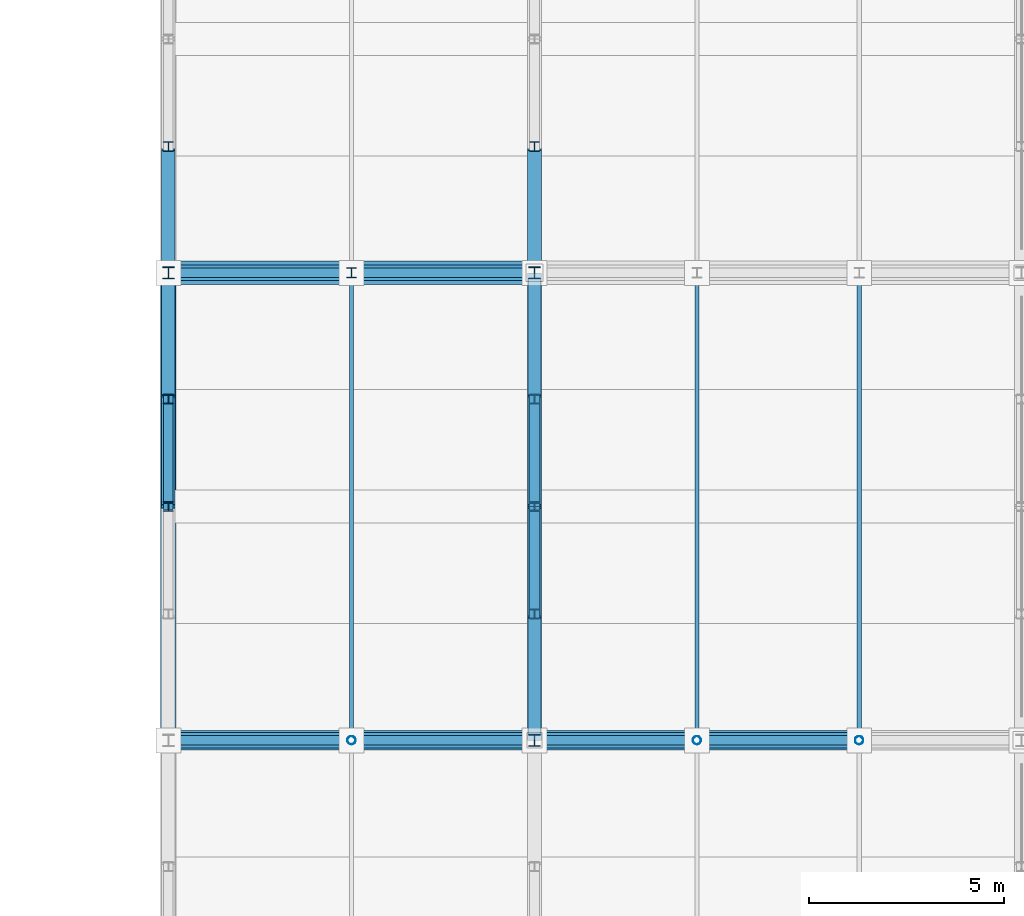
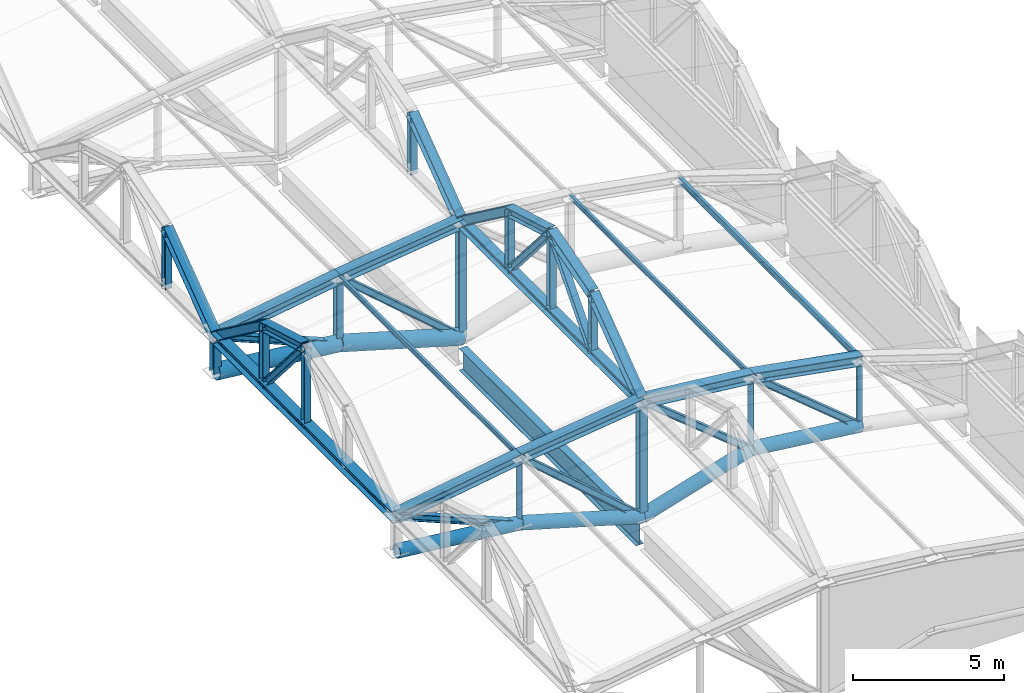
# One storey, part 61 of 117: 48 members, 1 beam.
"""IFC4 building model written with IfcOpenShell, lengths in metres."""

from ifc_helpers import new_model, si_unit, direction, frame, origin, origin_2d, place, context, subcontext, project, spatial, hollow_circle, i_section, extrude, material, material_profile, profile_set, type_object, element, save


model = new_model("IFC4")

# Units and contexts
model_context = context("Model", 3, precision=1e-05, world=origin(), true_north=direction((0.0, 1.0)))
body_context = subcontext(model_context, "Body", "Model", "MODEL_VIEW")
ifc_project = project(units=[si_unit("LENGTHUNIT", "METRE"), si_unit("AREAUNIT", "SQUARE_METRE"), si_unit("VOLUMEUNIT", "CUBIC_METRE"), si_unit("PLANEANGLEUNIT", "RADIAN"), si_unit("MASSUNIT", "GRAM", prefix="KILO")], contexts=[model_context])

# Site, building, storey
site_placement = place(None, origin())
site = spatial("IfcSite", under=ifc_project, at=site_placement, CompositionType="ELEMENT")
building_placement = place(site_placement, origin())
building = spatial("IfcBuilding", under=site, at=building_placement, Name="Kazenohara Klinker Stadium", CompositionType="ELEMENT")
storey_placement = place(building_placement, frame((0.0, 0.0, 31.199951171875)))
storey = spatial("IfcBuildingStorey", under=building, at=storey_placement, Name="RF", CompositionType="ELEMENT", Elevation=31.199951171875)

# Members
ifc_material = material(Name="Steel S355", Category="steel")
ifc_material_profile_1 = material_profile(ifc_material, i_section(OverallWidth=0.25, OverallDepth=0.25, WebThickness=0.009033203125, FlangeThickness=0.013916015625, FilletRadius=0.012939453125, at=origin_2d()), Name="H-250x250x9x14")
ifc_profile_set_1 = profile_set([ifc_material_profile_1], Name="Steel S355")
member_type_1 = type_object("IfcMemberType", Name="MEM-BRC02", PredefinedType="BRACE", material=ifc_profile_set_1)
member_1_placement = place(storey_placement, frame((183.333251953125, 60.0, 0.75), z_axis=(-0.770229945983, 0.0, 0.637766281887), x_axis=(0.0, -1.0, 0.0)))
element("IfcMember", 1, at=member_1_placement, inside=storey, type_object=member_type_1, Name="ROOF TRUSS RT-E02 web diagonal 2", PredefinedType="BRACE", context=body_context, shape_type="SweptSolid", body=[
    extrude(i_section(OverallWidth=0.25, OverallDepth=0.25, WebThickness=0.009033203125, FlangeThickness=0.013916015625, FilletRadius=0.012939453125, at=origin_2d()), origin(), (0.0, 0.0, 1.0), 5.409423828125),
])
member_2_placement = place(storey_placement, frame((179.166748046875, 60.0, 1.25), z_axis=(-0.774777826172, 0.0, 0.632233596127), x_axis=(0.0, -1.0, 0.0)))
element("IfcMember", 2, at=member_2_placement, inside=storey, type_object=member_type_1, Name="ROOF TRUSS RT-E02 web diagonal 3", PredefinedType="BRACE", context=body_context, shape_type="SweptSolid", body=[
    extrude(i_section(OverallWidth=0.25, OverallDepth=0.25, WebThickness=0.009033203125, FlangeThickness=0.013916015625, FilletRadius=0.012939453125, at=origin_2d()), origin(), (0.0, 0.0, 1.0), 5.3779296875),
])
member_3_placement = place(storey_placement, frame((175.0, 60.0, -0.02001953125), z_axis=(-0.755945561544, 0.0, 0.65463448426), x_axis=(0.0, -1.0, 0.0)))
element("IfcMember", 3, at=member_3_placement, inside=storey, type_object=member_type_1, Name="ROOF TRUSS RT-E02 web diagonal 4", PredefinedType="BRACE", context=body_context, shape_type="SweptSolid", body=[
    extrude(i_section(OverallWidth=0.25, OverallDepth=0.25, WebThickness=0.009033203125, FlangeThickness=0.013916015625, FilletRadius=0.012939453125, at=origin_2d()), origin(), (0.0, 0.0, 1.0), 6.21728515625),
])
member_4_placement = place(storey_placement, frame((170.300048828125, 60.0, 1.35009765625), z_axis=(-0.923659284192, 0.0, 0.383214726655), x_axis=(0.0, -1.0, 0.0)))
element("IfcMember", 4, at=member_4_placement, inside=storey, type_object=member_type_1, Name="ROOF TRUSS RT-E02 web diagonal 5", PredefinedType="BRACE", context=body_context, shape_type="SweptSolid", body=[
    extrude(i_section(OverallWidth=0.25, OverallDepth=0.25, WebThickness=0.009033203125, FlangeThickness=0.013916015625, FilletRadius=0.012939453125, at=origin_2d()), origin(), (0.0, 0.0, 1.0), 5.08837890625),
])
member_5_placement = place(storey_placement, frame((175.0, 72.0, -0.02001953125), z_axis=(-0.755945561544, 0.0, 0.65463448426), x_axis=(0.0, -1.0, 0.0)))
element("IfcMember", 5, at=member_5_placement, inside=storey, type_object=member_type_1, Name="ROOF TRUSS RT-E03 web diagonal 4", PredefinedType="BRACE", context=body_context, shape_type="SweptSolid", body=[
    extrude(i_section(OverallWidth=0.25, OverallDepth=0.25, WebThickness=0.009033203125, FlangeThickness=0.013916015625, FilletRadius=0.012939453125, at=origin_2d()), origin(), (0.0, 0.0, 1.0), 6.21728515625),
])
member_6_placement = place(storey_placement, frame((170.300048828125, 72.0, 1.35009765625), z_axis=(-0.923659284192, 0.0, 0.383214726655), x_axis=(0.0, -1.0, 0.0)))
element("IfcMember", 6, at=member_6_placement, inside=storey, type_object=member_type_1, Name="ROOF TRUSS RT-E03 web diagonal 5", PredefinedType="BRACE", context=body_context, shape_type="SweptSolid", body=[
    extrude(i_section(OverallWidth=0.25, OverallDepth=0.25, WebThickness=0.009033203125, FlangeThickness=0.013916015625, FilletRadius=0.012939453125, at=origin_2d()), origin(), (0.0, 0.0, 1.0), 5.08837890625),
])
ifc_material_profile_2 = material_profile(ifc_material, i_section(OverallWidth=0.39990234375, OverallDepth=0.39990234375, WebThickness=0.012939453125, FlangeThickness=0.02099609375, FilletRadius=0.02197265625, at=origin_2d()), Name="H-400x400x13x21")
ifc_profile_set_2 = profile_set([ifc_material_profile_2], Name="Steel S355")
member_type_2 = type_object("IfcMemberType", Name="MEM-CHD01", PredefinedType="CHORD", material=ifc_profile_set_2)
member_7_placement = place(storey_placement, frame((183.333251953125, 60.0, 3.449951171875), z_axis=(-0.984182117389, 0.0, 0.177159701431), x_axis=(0.0, -1.0, 0.0)))
element("IfcMember", 7, at=member_7_placement, inside=storey, type_object=member_type_2, Name="ROOF TRUSS RT-E02 top arched chord 2", PredefinedType="CHORD", context=body_context, shape_type="SweptSolid", body=[
    extrude(i_section(OverallWidth=0.39990234375, OverallDepth=0.39990234375, WebThickness=0.012939453125, FlangeThickness=0.02099609375, FilletRadius=0.02197265625, at=origin_2d()), origin(), (0.0, 0.0, 1.0), 4.2333984375),
])
member_8_placement = place(storey_placement, frame((179.166748046875, 60.0, 4.199951171875), z_axis=(-0.994213775272, 0.0, 0.107419593461), x_axis=(0.0, -1.0, 0.0)))
element("IfcMember", 8, at=member_8_placement, inside=storey, type_object=member_type_2, Name="ROOF TRUSS RT-E02 top arched chord 3", PredefinedType="CHORD", context=body_context, shape_type="SweptSolid", body=[
    extrude(i_section(OverallWidth=0.39990234375, OverallDepth=0.39990234375, WebThickness=0.012939453125, FlangeThickness=0.02099609375, FilletRadius=0.02197265625, at=origin_2d()), origin(), (0.0, 0.0, 1.0), 4.19091796875),
])
member_9_placement = place(storey_placement, frame((175.0, 60.0, 4.650146484375), z_axis=(-0.99194702514, 0.0, -0.126653461524), x_axis=(0.0, -1.0, 0.0)))
element("IfcMember", 9, at=member_9_placement, inside=storey, type_object=member_type_2, Name="ROOF TRUSS RT-E02 top arched chord 4", PredefinedType="CHORD", context=body_context, shape_type="SweptSolid", body=[
    extrude(i_section(OverallWidth=0.39990234375, OverallDepth=0.39990234375, WebThickness=0.012939453125, FlangeThickness=0.02099609375, FilletRadius=0.02197265625, at=origin_2d()), origin(), (0.0, 0.0, 1.0), 4.738037109375),
])
member_10_placement = place(storey_placement, frame((170.300048828125, 60.0, 4.050048828125), z_axis=(-0.987505848374, 0.0, -0.157582357602), x_axis=(0.0, -1.0, 0.0)))
element("IfcMember", 10, at=member_10_placement, inside=storey, type_object=member_type_2, Name="ROOF TRUSS RT-E02 top arched chord 5", PredefinedType="CHORD", context=body_context, shape_type="SweptSolid", body=[
    extrude(i_section(OverallWidth=0.39990234375, OverallDepth=0.39990234375, WebThickness=0.012939453125, FlangeThickness=0.02099609375, FilletRadius=0.02197265625, at=origin_2d()), origin(), (0.0, 0.0, 1.0), 4.759521484375),
])
member_11_placement = place(storey_placement, frame((175.0, 72.0, 4.650146484375), z_axis=(-0.99194702514, 0.0, -0.126653461524), x_axis=(0.0, -1.0, 0.0)))
element("IfcMember", 11, at=member_11_placement, inside=storey, type_object=member_type_2, Name="ROOF TRUSS RT-E03 top arched chord 4", PredefinedType="CHORD", context=body_context, shape_type="SweptSolid", body=[
    extrude(i_section(OverallWidth=0.39990234375, OverallDepth=0.39990234375, WebThickness=0.012939453125, FlangeThickness=0.02099609375, FilletRadius=0.02197265625, at=origin_2d()), origin(), (0.0, 0.0, 1.0), 4.738037109375),
])
member_12_placement = place(storey_placement, frame((170.300048828125, 72.0, 4.050048828125), z_axis=(-0.987505848374, 0.0, -0.157582357602), x_axis=(0.0, -1.0, 0.0)))
element("IfcMember", 12, at=member_12_placement, inside=storey, type_object=member_type_2, Name="ROOF TRUSS RT-E03 top arched chord 5", PredefinedType="CHORD", context=body_context, shape_type="SweptSolid", body=[
    extrude(i_section(OverallWidth=0.39990234375, OverallDepth=0.39990234375, WebThickness=0.012939453125, FlangeThickness=0.02099609375, FilletRadius=0.02197265625, at=origin_2d()), origin(), (0.0, 0.0, 1.0), 4.759521484375),
])
member_13_placement = place(storey_placement, frame((165.60009765625, 72.0, 3.300048828125), z_axis=(0.0, -1.0, 0.0), x_axis=(1.0, 0.0, 0.0)))
element("IfcMember", 13, at=member_13_placement, inside=storey, type_object=member_type_2, Name="Inner tension ring chord TC01 segment 22", PredefinedType="CHORD", context=body_context, shape_type="SweptSolid", body=[
    extrude(i_section(OverallWidth=0.39990234375, OverallDepth=0.39990234375, WebThickness=0.012939453125, FlangeThickness=0.02099609375, FilletRadius=0.02197265625, at=origin_2d()), origin(), (0.0, 0.0, 1.0), 12.0),
])
ifc_material_profile_3 = material_profile(ifc_material, i_section(OverallWidth=0.35009765625, OverallDepth=0.35009765625, WebThickness=0.011962890625, FlangeThickness=0.01904296875, FilletRadius=0.012939453125, at=origin_2d()), Name="H-350x350x12x19")
ifc_profile_set_3 = profile_set([ifc_material_profile_3], Name="Steel S355")
member_type_3 = type_object("IfcMemberType", Name="MEM-CHD02", PredefinedType="CHORD", material=ifc_profile_set_3)
member_14_placement = place(storey_placement, frame((175.0, 60.0, 4.650146484375), z_axis=(0.0, 1.0, 0.0), x_axis=(-1.0, 0.0, 0.0)))
element("IfcMember", 14, at=member_14_placement, inside=storey, type_object=member_type_3, Name="Barrel arch tie chord TC02 E-02-N3", PredefinedType="CHORD", context=body_context, shape_type="SweptSolid", body=[
    extrude(i_section(OverallWidth=0.35009765625, OverallDepth=0.35009765625, WebThickness=0.011962890625, FlangeThickness=0.01904296875, FilletRadius=0.012939453125, at=origin_2d()), origin(), (0.0, 0.0, 1.0), 12.0),
])
member_15_placement = place(storey_placement, frame((175.0, 60.0, 4.650146484375), z_axis=(0.0, 0.803567919639, 0.595213069856), x_axis=(-1.0, 0.0, 0.0)))
element("IfcMember", 15, at=member_15_placement, inside=storey, type_object=member_type_3, Name="Barrel arch top rib TC02 E-02-N3-S1", PredefinedType="CHORD", context=body_context, shape_type="SweptSolid", body=[
    extrude(i_section(OverallWidth=0.35009765625, OverallDepth=0.35009765625, WebThickness=0.011962890625, FlangeThickness=0.01904296875, FilletRadius=0.012939453125, at=origin_2d()), origin(), (0.0, 0.0, 1.0), 4.031982421875),
])
for number, where, z_axis, x_axis, name in (
    (16, (175.0, 63.239990234375, 7.050048828125), (0.0, 0.960462085918, 0.27841081429), (-1.0, 0.0, 0.0), "Barrel arch top rib TC02 E-02-N3-S2"),
    (17, (175.0, 66.0, 7.85009765625), (0.0, 0.960462085918, -0.27841081429), (-1.0, 0.0, 0.0), "Barrel arch top rib TC02 E-02-N3-S3"),
):
    element("IfcMember", number, at=place(storey_placement, frame(where, z_axis=z_axis, x_axis=x_axis)), inside=storey, type_object=member_type_3, Name=name, PredefinedType="CHORD", context=body_context, shape_type="SweptSolid", body=[
        extrude(i_section(OverallWidth=0.35009765625, OverallDepth=0.35009765625, WebThickness=0.011962890625, FlangeThickness=0.01904296875, FilletRadius=0.012939453125, at=origin_2d()), origin(), (0.0, 0.0, 1.0), 2.87353515625),
    ])
member_16_placement = place(storey_placement, frame((175.0, 68.760009765625, 7.050048828125), z_axis=(0.0, 0.803567919639, -0.595213069856), x_axis=(-1.0, 0.0, 0.0)))
element("IfcMember", 18, at=member_16_placement, inside=storey, type_object=member_type_3, Name="Barrel arch top rib TC02 E-02-N3-S4", PredefinedType="CHORD", context=body_context, shape_type="SweptSolid", body=[
    extrude(i_section(OverallWidth=0.35009765625, OverallDepth=0.35009765625, WebThickness=0.011962890625, FlangeThickness=0.01904296875, FilletRadius=0.012939453125, at=origin_2d()), origin(), (0.0, 0.0, 1.0), 4.031982421875),
])
member_17_placement = place(storey_placement, frame((165.60009765625, 66.0, 6.5), z_axis=(0.0, 0.960462085918, -0.27841081429), x_axis=(-1.0, 0.0, 0.0)))
element("IfcMember", 19, at=member_17_placement, inside=storey, type_object=member_type_3, Name="Barrel arch top rib TC02 E-02-N5-S3", PredefinedType="CHORD", context=body_context, shape_type="SweptSolid", body=[
    extrude(i_section(OverallWidth=0.35009765625, OverallDepth=0.35009765625, WebThickness=0.011962890625, FlangeThickness=0.01904296875, FilletRadius=0.012939453125, at=origin_2d()), origin(), (0.0, 0.0, 1.0), 2.87353515625),
])
for number, where, z_axis, x_axis, name in (
    (20, (165.60009765625, 68.760009765625, 5.699951171875), (0.0, 0.803567919639, -0.595213069856), (-1.0, 0.0, 0.0), "Barrel arch top rib TC02 E-02-N5-S4"),
    (21, (175.0, 72.0, 4.650146484375), (0.0, 0.803567919639, 0.595213069856), (-1.0, 0.0, 0.0), "Barrel arch top rib TC02 E-03-N3-S1"),
    (22, (165.60009765625, 72.0, 3.300048828125), (0.0, 0.803567919639, 0.595213069856), (-1.0, 0.0, 0.0), "Barrel arch top rib TC02 E-03-N5-S1"),
):
    element("IfcMember", number, at=place(storey_placement, frame(where, z_axis=z_axis, x_axis=x_axis)), inside=storey, type_object=member_type_3, Name=name, PredefinedType="CHORD", context=body_context, shape_type="SweptSolid", body=[
        extrude(i_section(OverallWidth=0.35009765625, OverallDepth=0.35009765625, WebThickness=0.011962890625, FlangeThickness=0.01904296875, FilletRadius=0.012939453125, at=origin_2d()), origin(), (0.0, 0.0, 1.0), 4.031982421875),
    ])
ifc_material_profile_4 = material_profile(ifc_material, hollow_circle(Radius=0.25390625, WallThickness=0.01611328125, at=origin_2d()), Name="CHS-508.0x16")
ifc_profile_set_4 = profile_set([ifc_material_profile_4], Name="Steel S355")
member_type_4 = type_object("IfcMemberType", Name="MEM-CHD04", PredefinedType="CHORD", material=ifc_profile_set_4)
member_18_placement = place(storey_placement, frame((183.333251953125, 60.0, 0.75), z_axis=(-0.99287628789, 0.0, 0.119149808836), x_axis=(0.0, -1.0, 0.0)))
element("IfcMember", 23, at=member_18_placement, inside=storey, type_object=member_type_4, Name="ROOF TRUSS RT-E02 bottom arched chord 2", PredefinedType="CHORD", context=body_context, shape_type="SweptSolid", body=[
    extrude(hollow_circle(Radius=0.25390625, WallThickness=0.01611328125, at=origin_2d()), origin(), (0.0, 0.0, 1.0), 4.1962890625),
])
member_19_placement = place(storey_placement, frame((179.166748046875, 60.0, 1.25), z_axis=(-0.956553656775, 0.0, -0.291556343971), x_axis=(0.0, -1.0, 0.0)))
element("IfcMember", 24, at=member_19_placement, inside=storey, type_object=member_type_4, Name="ROOF TRUSS RT-E02 bottom arched chord 3", PredefinedType="CHORD", context=body_context, shape_type="SweptSolid", body=[
    extrude(hollow_circle(Radius=0.25390625, WallThickness=0.01611328125, at=origin_2d()), origin(), (0.0, 0.0, 1.0), 4.35595703125),
])
member_20_placement = place(storey_placement, frame((175.0, 60.0, -0.02001953125), z_axis=(-0.960038530088, 0.0, 0.279867863012), x_axis=(0.0, -1.0, 0.0)))
element("IfcMember", 25, at=member_20_placement, inside=storey, type_object=member_type_4, Name="ROOF TRUSS RT-E02 bottom arched chord 4", PredefinedType="CHORD", context=body_context, shape_type="SweptSolid", body=[
    extrude(hollow_circle(Radius=0.25390625, WallThickness=0.01611328125, at=origin_2d()), origin(), (0.0, 0.0, 1.0), 4.8955078125),
])
member_21_placement = place(storey_placement, frame((170.300048828125, 60.0, 1.35009765625), z_axis=(-0.99438879757, 0.0, 0.105787141313), x_axis=(0.0, -1.0, 0.0)))
element("IfcMember", 26, at=member_21_placement, inside=storey, type_object=member_type_4, Name="ROOF TRUSS RT-E02 bottom arched chord 5", PredefinedType="CHORD", context=body_context, shape_type="SweptSolid", body=[
    extrude(hollow_circle(Radius=0.25390625, WallThickness=0.01611328125, at=origin_2d()), origin(), (0.0, 0.0, 1.0), 4.7265625),
])
ifc_material_profile_5 = material_profile(ifc_material, hollow_circle(Radius=0.3046875, WallThickness=0.01611328125, at=origin_2d()), Name="CHS-609.6x16")
ifc_profile_set_5 = profile_set([ifc_material_profile_5], Name="Steel S355")
member_type_5 = type_object("IfcMemberType", Name="MEM-CHD05", PredefinedType="CHORD", material=ifc_profile_set_5)
member_22_placement = place(storey_placement, frame((175.0, 72.0, -0.02001953125), z_axis=(-0.960038530088, 0.0, 0.279867863012), x_axis=(0.0, -1.0, 0.0)))
element("IfcMember", 27, at=member_22_placement, inside=storey, type_object=member_type_5, Name="ROOF TRUSS RT-E03 bottom arched chord 4", PredefinedType="CHORD", context=body_context, shape_type="SweptSolid", body=[
    extrude(hollow_circle(Radius=0.3046875, WallThickness=0.01611328125, at=origin_2d()), origin(), (0.0, 0.0, 1.0), 4.8955078125),
])
member_23_placement = place(storey_placement, frame((170.300048828125, 72.0, 1.35009765625), z_axis=(-0.99438879757, 0.0, 0.105787141313), x_axis=(0.0, -1.0, 0.0)))
element("IfcMember", 28, at=member_23_placement, inside=storey, type_object=member_type_5, Name="ROOF TRUSS RT-E03 bottom arched chord 5", PredefinedType="CHORD", context=body_context, shape_type="SweptSolid", body=[
    extrude(hollow_circle(Radius=0.3046875, WallThickness=0.01611328125, at=origin_2d()), origin(), (0.0, 0.0, 1.0), 4.7265625),
])
ifc_material_profile_6 = material_profile(ifc_material, i_section(OverallWidth=0.125, OverallDepth=0.25, WebThickness=0.006103515625, FlangeThickness=0.009033203125, FilletRadius=0.008056640625, at=origin_2d()), Name="H-250x125x6x9")
ifc_profile_set_6 = profile_set([ifc_material_profile_6], Name="Steel S355")
member_type_6 = type_object("IfcMemberType", Name="MEM-PUR01", PredefinedType="PURLIN", material=ifc_profile_set_6)
member_24_placement = place(storey_placement, frame((183.333251953125, 60.0, 3.469970703125), z_axis=(0.0, 1.0, 0.0), x_axis=(-1.0, 0.0, 0.0)))
element("IfcMember", 29, at=member_24_placement, inside=storey, type_object=member_type_6, Name="Canopy valley tie purlin PR01 E-02-N1", PredefinedType="PURLIN", context=body_context, shape_type="SweptSolid", body=[
    extrude(i_section(OverallWidth=0.125, OverallDepth=0.25, WebThickness=0.006103515625, FlangeThickness=0.009033203125, FilletRadius=0.008056640625, at=origin_2d()), origin(), (0.0, 0.0, 1.0), 12.0),
])
ifc_material_profile_7 = material_profile(ifc_material, i_section(OverallWidth=0.10009765625, OverallDepth=0.199951171875, WebThickness=0.005615234375, FlangeThickness=0.008056640625, FilletRadius=0.008056640625, at=origin_2d()), Name="H-200x100x5.5x8")
ifc_profile_set_7 = profile_set([ifc_material_profile_7], Name="Steel S355")
member_type_7 = type_object("IfcMemberType", Name="MEM-PUR02", PredefinedType="PURLIN", material=ifc_profile_set_7)
for number, where, z_axis, x_axis, name in (
    (30, (179.166748046875, 60.0, 4.219970703125), (0.0, 1.0, 0.0), (-1.0, 0.0, 0.0), "Canopy valley tie purlin PR02 E-02-N2"),
    (31, (170.300048828125, 60.0, 4.070068359375), (0.0, 1.0, 0.0), (-1.0, 0.0, 0.0), "Canopy valley tie purlin PR02 E-02-N4"),
):
    element("IfcMember", number, at=place(storey_placement, frame(where, z_axis=z_axis, x_axis=x_axis)), inside=storey, type_object=member_type_7, Name=name, PredefinedType="PURLIN", context=body_context, shape_type="SweptSolid", body=[
        extrude(i_section(OverallWidth=0.10009765625, OverallDepth=0.199951171875, WebThickness=0.005615234375, FlangeThickness=0.008056640625, FilletRadius=0.008056640625, at=origin_2d()), origin(), (0.0, 0.0, 1.0), 12.0),
    ])
ifc_material_profile_8 = material_profile(ifc_material, i_section(OverallWidth=0.300048828125, OverallDepth=0.300048828125, WebThickness=0.010009765625, FlangeThickness=0.014892578125, FilletRadius=0.012939453125, at=origin_2d()), Name="H-300x300x10x15")
ifc_profile_set_8 = profile_set([ifc_material_profile_8], Name="Steel S355")
member_type_8 = type_object("IfcMemberType", Name="MEM-STR01", PredefinedType="STRUT", material=ifc_profile_set_8)
for number, where, z_axis, x_axis, name in (
    (32, (175.0, 60.0, -0.02001953125), (0.0, 0.0, 1.0), (1.0, 0.0, 0.0), "ROOF TRUSS RT-E02 web post 4"),
    (33, (175.0, 72.0, -0.02001953125), (0.0, 0.0, 1.0), (1.0, 0.0, 0.0), "ROOF TRUSS RT-E03 web post 4"),
):
    element("IfcMember", number, at=place(storey_placement, frame(where, z_axis=z_axis, x_axis=x_axis)), inside=storey, type_object=member_type_8, Name=name, PredefinedType="STRUT", context=body_context, shape_type="SweptSolid", body=[
        extrude(i_section(OverallWidth=0.300048828125, OverallDepth=0.300048828125, WebThickness=0.010009765625, FlangeThickness=0.014892578125, FilletRadius=0.012939453125, at=origin_2d()), origin(), (0.0, 0.0, 1.0), 4.670166015625),
    ])
member_25_placement = place(storey_placement, frame((165.60009765625, 72.0, 1.85009765625), z_axis=(0.0, 0.0, 1.0), x_axis=(1.0, 0.0, 0.0)))
element("IfcMember", 34, at=member_25_placement, inside=storey, type_object=member_type_8, Name="ROOF TRUSS RT-E03 web post 6", PredefinedType="STRUT", context=body_context, shape_type="SweptSolid", body=[
    extrude(i_section(OverallWidth=0.300048828125, OverallDepth=0.300048828125, WebThickness=0.010009765625, FlangeThickness=0.014892578125, FilletRadius=0.012939453125, at=origin_2d()), origin(), (0.0, 0.0, 1.0), 1.449951171875),
])
ifc_material_profile_9 = material_profile(ifc_material, i_section(OverallWidth=0.25, OverallDepth=0.25, WebThickness=0.009033203125, FlangeThickness=0.013916015625, FilletRadius=0.012939453125, at=origin_2d()), Name="H-250x250x9x14")
ifc_profile_set_9 = profile_set([ifc_material_profile_9], Name="Steel S355")
member_type_9 = type_object("IfcMemberType", Name="MEM-STR02", PredefinedType="STRUT", material=ifc_profile_set_9)
member_26_placement = place(storey_placement, frame((170.300048828125, 72.0, 1.35009765625), z_axis=(0.0, 0.0, 1.0), x_axis=(1.0, 0.0, 0.0)))
element("IfcMember", 35, at=member_26_placement, inside=storey, type_object=member_type_9, Name="ROOF TRUSS RT-E03 web post 5", PredefinedType="STRUT", context=body_context, shape_type="SweptSolid", body=[
    extrude(i_section(OverallWidth=0.25, OverallDepth=0.25, WebThickness=0.009033203125, FlangeThickness=0.013916015625, FilletRadius=0.012939453125, at=origin_2d()), origin(), (0.0, 0.0, 1.0), 2.699951171875),
])
member_27_placement = place(storey_placement, frame((175.0, 63.239990234375, 4.650146484375), z_axis=(0.0, 0.0, 1.0), x_axis=(1.0, 0.0, 0.0)))
element("IfcMember", 36, at=member_27_placement, inside=storey, type_object=member_type_9, Name="Barrel arch web post TS02 E-02-N3-P1", PredefinedType="STRUT", context=body_context, shape_type="SweptSolid", body=[
    extrude(i_section(OverallWidth=0.25, OverallDepth=0.25, WebThickness=0.009033203125, FlangeThickness=0.013916015625, FilletRadius=0.012939453125, at=origin_2d()), origin(), (0.0, 0.0, 1.0), 2.39990234375),
])
member_28_placement = place(storey_placement, frame((175.0, 66.0, 4.650146484375), z_axis=(0.0, 0.0, 1.0), x_axis=(1.0, 0.0, 0.0)))
element("IfcMember", 37, at=member_28_placement, inside=storey, type_object=member_type_9, Name="Barrel arch web post TS02 E-02-N3-P2", PredefinedType="STRUT", context=body_context, shape_type="SweptSolid", body=[
    extrude(i_section(OverallWidth=0.25, OverallDepth=0.25, WebThickness=0.009033203125, FlangeThickness=0.013916015625, FilletRadius=0.012939453125, at=origin_2d()), origin(), (0.0, 0.0, 1.0), 3.199951171875),
])
member_29_placement = place(storey_placement, frame((175.0, 68.760009765625, 4.650146484375), z_axis=(0.0, 0.0, 1.0), x_axis=(1.0, 0.0, 0.0)))
element("IfcMember", 38, at=member_29_placement, inside=storey, type_object=member_type_9, Name="Barrel arch web post TS02 E-02-N3-P3", PredefinedType="STRUT", context=body_context, shape_type="SweptSolid", body=[
    extrude(i_section(OverallWidth=0.25, OverallDepth=0.25, WebThickness=0.009033203125, FlangeThickness=0.013916015625, FilletRadius=0.012939453125, at=origin_2d()), origin(), (0.0, 0.0, 1.0), 2.39990234375),
])
for number, where, z_axis, x_axis, name in (
    (39, (175.0, 63.239990234375, 4.650146484375), (0.0, 0.653133887971, 0.757242447558), (-1.0, 0.0, 0.0), "Barrel arch web diagonal TS02 E-02-N3-D1"),
    (40, (175.0, 68.760009765625, 4.650146484375), (0.0, -0.653133887971, 0.757242447558), (1.0, 0.0, 0.0), "Barrel arch web diagonal TS02 E-02-N3-D2"),
):
    element("IfcMember", number, at=place(storey_placement, frame(where, z_axis=z_axis, x_axis=x_axis)), inside=storey, type_object=member_type_9, Name=name, PredefinedType="STRUT", context=body_context, shape_type="SweptSolid", body=[
        extrude(i_section(OverallWidth=0.25, OverallDepth=0.25, WebThickness=0.009033203125, FlangeThickness=0.013916015625, FilletRadius=0.012939453125, at=origin_2d()), origin(), (0.0, 0.0, 1.0), 4.225830078125),
    ])
member_30_placement = place(storey_placement, frame((165.60009765625, 66.0, 3.300048828125), z_axis=(0.0, 0.0, 1.0), x_axis=(1.0, 0.0, 0.0)))
element("IfcMember", 41, at=member_30_placement, inside=storey, type_object=member_type_9, Name="Barrel arch web post TS02 E-02-N5-P2", PredefinedType="STRUT", context=body_context, shape_type="SweptSolid", body=[
    extrude(i_section(OverallWidth=0.25, OverallDepth=0.25, WebThickness=0.009033203125, FlangeThickness=0.013916015625, FilletRadius=0.012939453125, at=origin_2d()), origin(), (0.0, 0.0, 1.0), 3.199951171875),
])
member_31_placement = place(storey_placement, frame((165.60009765625, 68.760009765625, 3.300048828125), z_axis=(0.0, 0.0, 1.0), x_axis=(1.0, 0.0, 0.0)))
element("IfcMember", 42, at=member_31_placement, inside=storey, type_object=member_type_9, Name="Barrel arch web post TS02 E-02-N5-P3", PredefinedType="STRUT", context=body_context, shape_type="SweptSolid", body=[
    extrude(i_section(OverallWidth=0.25, OverallDepth=0.25, WebThickness=0.009033203125, FlangeThickness=0.013916015625, FilletRadius=0.012939453125, at=origin_2d()), origin(), (0.0, 0.0, 1.0), 2.39990234375),
])
member_32_placement = place(storey_placement, frame((165.60009765625, 68.760009765625, 3.300048828125), z_axis=(0.0, -0.653133887971, 0.757242447558), x_axis=(1.0, 0.0, 0.0)))
element("IfcMember", 43, at=member_32_placement, inside=storey, type_object=member_type_9, Name="Barrel arch web diagonal TS02 E-02-N5-D2", PredefinedType="STRUT", context=body_context, shape_type="SweptSolid", body=[
    extrude(i_section(OverallWidth=0.25, OverallDepth=0.25, WebThickness=0.009033203125, FlangeThickness=0.013916015625, FilletRadius=0.012939453125, at=origin_2d()), origin(), (0.0, 0.0, 1.0), 4.225830078125),
])
for number, where, z_axis, x_axis, name in (
    (44, (175.0, 75.239990234375, 4.650146484375), (0.0, 0.0, 1.0), (1.0, 0.0, 0.0), "Barrel arch web post TS02 E-03-N3-P1"),
    (45, (165.60009765625, 75.239990234375, 3.300048828125), (0.0, 0.0, 1.0), (1.0, 0.0, 0.0), "Barrel arch web post TS02 E-03-N5-P1"),
):
    element("IfcMember", number, at=place(storey_placement, frame(where, z_axis=z_axis, x_axis=x_axis)), inside=storey, type_object=member_type_9, Name=name, PredefinedType="STRUT", context=body_context, shape_type="SweptSolid", body=[
        extrude(i_section(OverallWidth=0.25, OverallDepth=0.25, WebThickness=0.009033203125, FlangeThickness=0.013916015625, FilletRadius=0.012939453125, at=origin_2d()), origin(), (0.0, 0.0, 1.0), 2.39990234375),
    ])
ifc_material_profile_10 = material_profile(ifc_material, hollow_circle(Radius=0.108154296875, WallThickness=0.008056640625, at=origin_2d()), Name="CHS-216.3x8")
ifc_profile_set_10 = profile_set([ifc_material_profile_10], Name="Steel S355")
member_type_10 = type_object("IfcMemberType", Name="MEM-STR04", PredefinedType="STRUT", material=ifc_profile_set_10)
member_33_placement = place(storey_placement, frame((183.333251953125, 60.0, 0.75), z_axis=(0.0, 0.0, 1.0), x_axis=(1.0, 0.0, 0.0)))
element("IfcMember", 46, at=member_33_placement, inside=storey, type_object=member_type_10, Name="ROOF TRUSS RT-E02 web post 2", PredefinedType="STRUT", context=body_context, shape_type="SweptSolid", body=[
    extrude(hollow_circle(Radius=0.108154296875, WallThickness=0.008056640625, at=origin_2d()), origin(), (0.0, 0.0, 1.0), 2.699951171875),
])
member_34_placement = place(storey_placement, frame((179.166748046875, 60.0, 1.25), z_axis=(0.0, 0.0, 1.0), x_axis=(1.0, 0.0, 0.0)))
element("IfcMember", 47, at=member_34_placement, inside=storey, type_object=member_type_10, Name="ROOF TRUSS RT-E02 web post 3", PredefinedType="STRUT", context=body_context, shape_type="SweptSolid", body=[
    extrude(hollow_circle(Radius=0.108154296875, WallThickness=0.008056640625, at=origin_2d()), origin(), (0.0, 0.0, 1.0), 2.949951171875),
])
member_35_placement = place(storey_placement, frame((170.300048828125, 60.0, 1.35009765625), z_axis=(0.0, 0.0, 1.0), x_axis=(1.0, 0.0, 0.0)))
element("IfcMember", 48, at=member_35_placement, inside=storey, type_object=member_type_10, Name="ROOF TRUSS RT-E02 web post 5", PredefinedType="STRUT", context=body_context, shape_type="SweptSolid", body=[
    extrude(hollow_circle(Radius=0.108154296875, WallThickness=0.008056640625, at=origin_2d()), origin(), (0.0, 0.0, 1.0), 2.699951171875),
])

# Beam
ifc_material_profile_11 = material_profile(ifc_material, i_section(OverallWidth=0.300048828125, OverallDepth=0.89990234375, WebThickness=0.01611328125, FlangeThickness=0.028076171875, FilletRadius=0.02197265625, at=origin_2d()), Name="H-900x300x16x28")
ifc_profile_set_11 = profile_set([ifc_material_profile_11], Name="Steel S355")
beam_type = type_object("IfcBeamType", Name="RING-RB01", PredefinedType="USERDEFINED", material=ifc_profile_set_11)
beam_placement = place(storey_placement, frame((175.0, 60.139892578125, -0.820068359375), z_axis=(0.0, 1.0, 0.0), x_axis=(-1.0, 0.0, 0.0)))
element("IfcBeam", 49, at=beam_placement, inside=storey, type_object=beam_type, Name="Roof ring beam RB01 E-IN F-G", ObjectType="RING BEAM", PredefinedType="USERDEFINED", context=body_context, shape_type="SweptSolid", body=[
    extrude(i_section(OverallWidth=0.300048828125, OverallDepth=0.89990234375, WebThickness=0.01611328125, FlangeThickness=0.028076171875, FilletRadius=0.02197265625, at=origin_2d()), origin(), (0.0, 0.0, 1.0), 11.72021484375),
])

save(model, "model.ifc")
